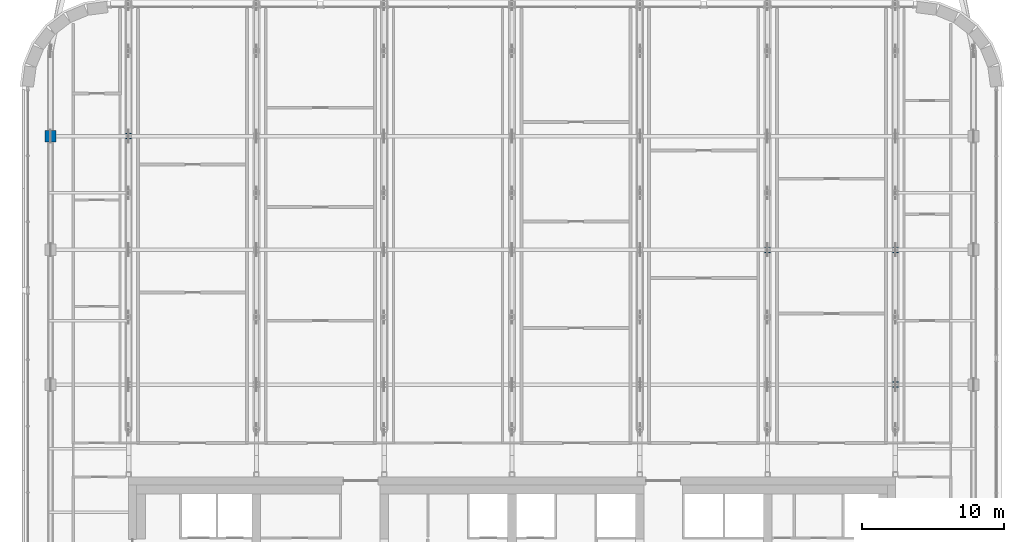
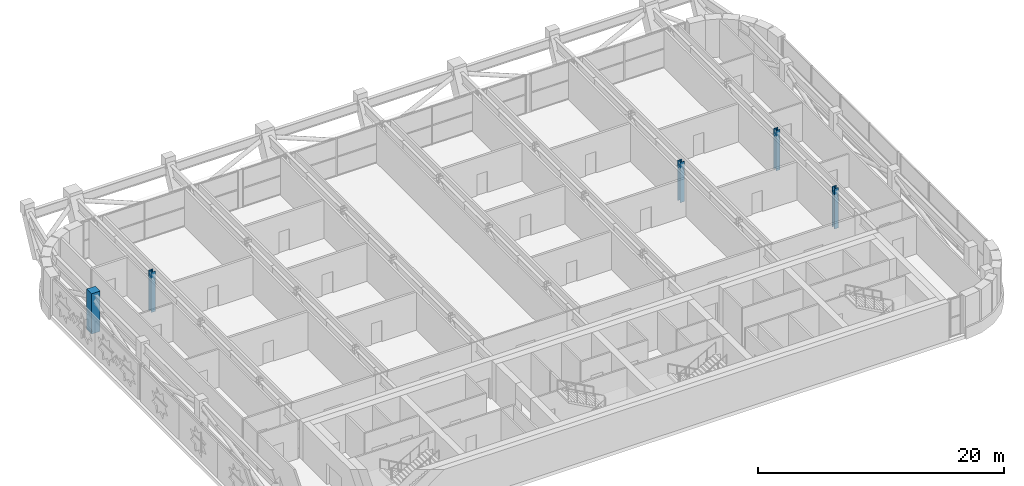
# One storey, part 2 of 28: 5 columns.
"""IFC4 building model written with IfcOpenShell, lengths in metres."""

from ifc_helpers import new_model, si_unit, direction, frame, origin, origin_2d, place, context, subcontext, project, spatial, rectangle, i_section, extrude, material, material_profile, profile_set, type_object, element, save


model = new_model("IFC4")

# Units and contexts
model_context = context("Model", 3, precision=1e-05, world=origin(), true_north=direction((0.0, 1.0)))
body_context = subcontext(model_context, "Body", "Model", "MODEL_VIEW")
ifc_project = project(units=[si_unit("LENGTHUNIT", "METRE"), si_unit("AREAUNIT", "SQUARE_METRE"), si_unit("VOLUMEUNIT", "CUBIC_METRE"), si_unit("PLANEANGLEUNIT", "RADIAN"), si_unit("MASSUNIT", "GRAM", prefix="KILO")], contexts=[model_context])

# Site, building, storey
site_placement = place(None, origin())
site = spatial("IfcSite", under=ifc_project, at=site_placement, CompositionType="ELEMENT")
building_placement = place(site_placement, origin())
building = spatial("IfcBuilding", under=site, at=building_placement, Name="Zellij Exchange Tower", CompositionType="ELEMENT")
storey_placement = place(building_placement, frame((0.0, 0.0, 268.5)))
storey = spatial("IfcBuildingStorey", under=building, at=storey_placement, Name="L63", CompositionType="ELEMENT", Elevation=268.5)

# Columns
ifc_material_1 = material(Name="Concrete C50/60", Category="concrete")
ifc_material_profile_1 = material_profile(ifc_material_1, rectangle(XDim=0.800048828125, YDim=0.800048828125, at=origin_2d()), Name="STR-COLUMN RC800x800 C50/60")
ifc_profile_set_1 = profile_set([ifc_material_profile_1], Name="Concrete C50/60")
column_type_1 = type_object("IfcColumnType", Name="STR-COLUMN RC800x800 C50/60", PredefinedType="COLUMN", material=ifc_profile_set_1)
column_placement = place(storey_placement, frame((-32.5, 22.0, 0.0), z_axis=(0.0, 0.0, 1.0), x_axis=(1.0, 0.0, 0.0)))
element("IfcColumn", 1, at=column_placement, inside=storey, type_object=column_type_1, Name="C15", PredefinedType="COLUMN", context=body_context, shape_type="SweptSolid", body=[
    extrude(rectangle(XDim=0.800048828125, YDim=0.800048828125, at=origin_2d()), origin(), (0.0, 0.0, 1.0), 4.0),
])
ifc_material_2 = material(Name="Structural steel ASTM A992 Gr 50", Category="steel")
ifc_material_profile_2 = material_profile(ifc_material_2, i_section(OverallWidth=0.398681640625, OverallDepth=0.385986328125, WebThickness=0.02099609375, FlangeThickness=0.033203125, at=origin_2d()), Name="W14x176")
ifc_profile_set_2 = profile_set([ifc_material_profile_2], Name="Structural steel ASTM A992 Gr 50")
column_type_2 = type_object("IfcColumnType", Name="STR-COLUMN W14x176", PredefinedType="COLUMN", material=ifc_profile_set_2)
for number, where, z_axis, x_axis, name in (
    (2, (27.0, 4.5, 0.0), (0.0, 0.0, 1.0), (1.0, 0.0, 0.0), "C2"),
    (3, (18.0, 14.0, 0.0), (0.0, 0.0, 1.0), (1.0, 0.0, 0.0), "C2"),
    (4, (27.0, 14.0, 0.0), (0.0, 0.0, 1.0), (1.0, 0.0, 0.0), "C2"),
    (5, (-27.0, 22.0, 0.0), (0.0, 0.0, 1.0), (1.0, 0.0, 0.0), "C2"),
):
    element("IfcColumn", number, at=place(storey_placement, frame(where, z_axis=z_axis, x_axis=x_axis)), inside=storey, type_object=column_type_2, Name=name, PredefinedType="COLUMN", context=body_context, shape_type="SweptSolid", body=[
        extrude(i_section(OverallWidth=0.398681640625, OverallDepth=0.385986328125, WebThickness=0.02099609375, FlangeThickness=0.033203125, at=origin_2d()), origin(), (0.0, 0.0, 1.0), 4.0),
    ])

save(model, "model.ifc")
